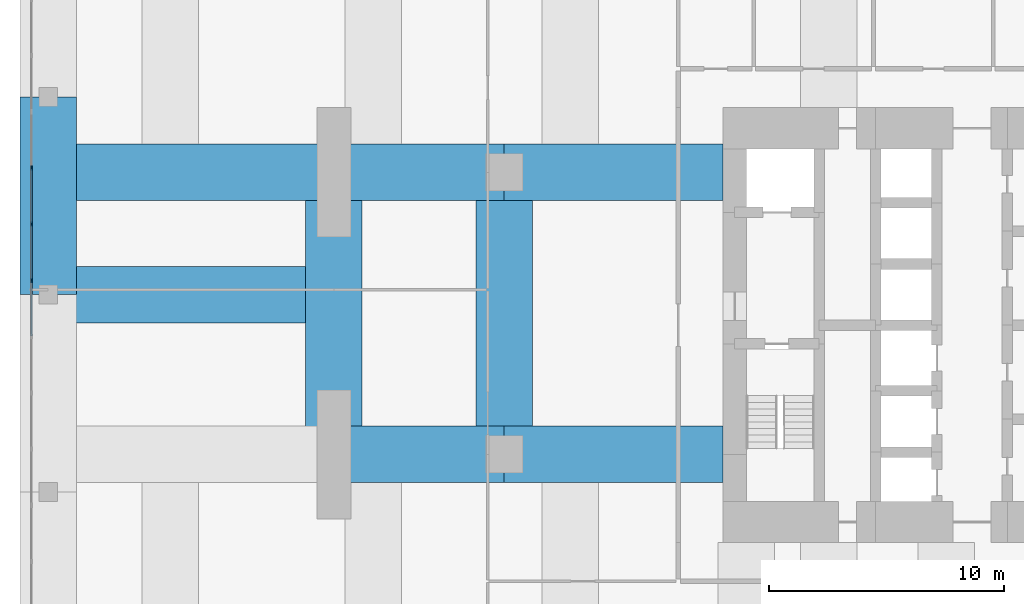
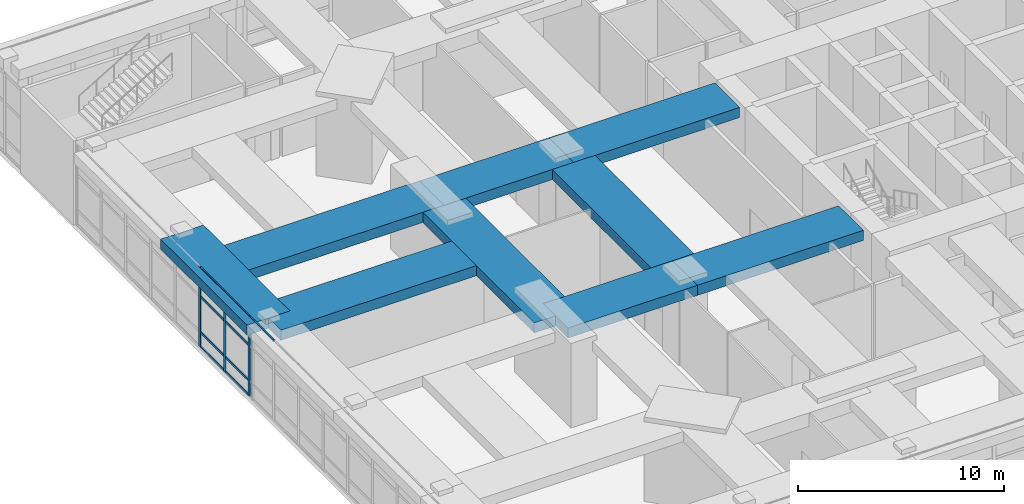
# One storey, part 4 of 22: 12 members, 9 beams, 1 element without a shape of its own.
"""IFC4 building model written with IfcOpenShell, lengths in metres."""

from ifc_helpers import new_model, si_unit, direction, frame, origin, origin_2d, place, context, subcontext, project, spatial, rectangle, extrude, material, material_profile, profile_set, type_object, element, aggregate, save


model = new_model("IFC4")

# Units and contexts
model_context = context("Model", 3, precision=1e-05, world=origin(), true_north=direction((0.0, 1.0)))
body_context = subcontext(model_context, "Body", "Model", "MODEL_VIEW")
ifc_project = project(units=[si_unit("LENGTHUNIT", "METRE"), si_unit("AREAUNIT", "SQUARE_METRE"), si_unit("VOLUMEUNIT", "CUBIC_METRE"), si_unit("PLANEANGLEUNIT", "RADIAN"), si_unit("MASSUNIT", "GRAM", prefix="KILO")], contexts=[model_context])

# Site, building, storey
site_placement = place(None, origin())
site = spatial("IfcSite", under=ifc_project, at=site_placement, CompositionType="ELEMENT")
building_placement = place(site_placement, origin())
building = spatial("IfcBuilding", under=site, at=building_placement, Name="Jalousie Tower", CompositionType="ELEMENT")
storey_placement = place(building_placement, frame((0.0, 0.0, 6.0)))
storey = spatial("IfcBuildingStorey", under=building, at=storey_placement, Name="L01", CompositionType="ELEMENT", Elevation=6.0)

# Curtain wall, members
ifc_material_1 = material(Name="Aluminium curtain wall", Category="aluminium")
curtain_wall_type = type_object("IfcCurtainWallType", Name="PODIUM WINDOW WALL", PredefinedType="USERDEFINED", material=ifc_material_1)
curtain_wall_placement = place(storey_placement, origin())
curtain_wall = element("IfcCurtainWall", 1, at=curtain_wall_placement, inside=storey, type_object=curtain_wall_type, Name="Podium Window Wall L01 33", ObjectType="PODIUM WINDOW WALL", PredefinedType="USERDEFINED")
ifc_material_2 = material(Name="Aluminium mullion", Category="aluminium")
ifc_material_profile_1 = material_profile(ifc_material_2, rectangle(XDim=0.070068359375, YDim=0.199951171875, at=origin_2d()), Name="MULLION 70x200")
ifc_profile_set_1 = profile_set([ifc_material_profile_1], Name="Aluminium mullion")
member_type_1 = type_object("IfcMemberType", Name="PODIUM WINDOW WALL MULLION", PredefinedType="MULLION", material=ifc_profile_set_1)
member_1_placement = place(storey_placement, frame((-9.91259765625, 25.188232421875, 0.0), z_axis=(0.0, 0.0, 1.0), x_axis=(1.0, 0.0, 0.0)))
member_1 = element("IfcMember", 2, at=member_1_placement, type_object=member_type_1, Name="CW-P mullion 6", PredefinedType="MULLION", context=body_context, shape_type="SweptSolid", body=[
    extrude(rectangle(XDim=0.070068359375, YDim=0.199951171875, at=origin_2d()), origin(), (0.0, 0.0, 1.0), 4.719970703125),
])
member_2_placement = place(storey_placement, frame((-9.91259765625, 22.7958984375, 0.0), z_axis=(0.0, 0.0, 1.0), x_axis=(1.0, 0.0, 0.0)))
member_2 = element("IfcMember", 3, at=member_2_placement, type_object=member_type_1, Name="CW-P mullion 7", PredefinedType="MULLION", context=body_context, shape_type="SweptSolid", body=[
    extrude(rectangle(XDim=0.070068359375, YDim=0.199951171875, at=origin_2d()), origin(), (0.0, 0.0, 1.0), 4.719970703125),
])
member_3_placement = place(storey_placement, frame((-9.91259765625, 20.403564453125, 0.0), z_axis=(0.0, 0.0, 1.0), x_axis=(1.0, 0.0, 0.0)))
member_3 = element("IfcMember", 4, at=member_3_placement, type_object=member_type_1, Name="CW-P mullion 8", PredefinedType="MULLION", context=body_context, shape_type="SweptSolid", body=[
    extrude(rectangle(XDim=0.070068359375, YDim=0.199951171875, at=origin_2d()), origin(), (0.0, 0.0, 1.0), 4.719970703125),
])
ifc_material_3 = material(Name="Aluminium transom", Category="aluminium")
ifc_material_profile_2 = material_profile(ifc_material_3, rectangle(XDim=0.070068359375, YDim=0.139892578125, at=origin_2d()), Name="TRANSOM 70x140")
ifc_profile_set_2 = profile_set([ifc_material_profile_2], Name="Aluminium transom")
member_type_2 = type_object("IfcMemberType", Name="PODIUM WINDOW WALL TRANSOM", PredefinedType="USERDEFINED", material=ifc_profile_set_2)
member_4_placement = place(storey_placement, frame((-9.91259765625, 25.153076171875, 0.034912109375), z_axis=(0.0, -1.0, 0.0), x_axis=(1.0, 0.0, 0.0)))
member_4 = element("IfcMember", 5, at=member_4_placement, type_object=member_type_2, Name="CW-P transom 6.1", ObjectType="TRANSOM", PredefinedType="USERDEFINED", context=body_context, shape_type="SweptSolid", body=[
    extrude(rectangle(XDim=0.070068359375, YDim=0.139892578125, at=origin_2d()), origin(), (0.0, 0.0, 1.0), 2.322265625),
])
member_5_placement = place(storey_placement, frame((-9.91259765625, 25.153076171875, 0.89990234375), z_axis=(0.0, -1.0, 0.0), x_axis=(1.0, 0.0, 0.0)))
member_5 = element("IfcMember", 6, at=member_5_placement, type_object=member_type_2, Name="CW-P transom 6.2", ObjectType="TRANSOM", PredefinedType="USERDEFINED", context=body_context, shape_type="SweptSolid", body=[
    extrude(rectangle(XDim=0.070068359375, YDim=0.139892578125, at=origin_2d()), origin(), (0.0, 0.0, 1.0), 2.322265625),
])
member_6_placement = place(storey_placement, frame((-9.91259765625, 25.153076171875, 3.0), z_axis=(0.0, -1.0, 0.0), x_axis=(1.0, 0.0, 0.0)))
member_6 = element("IfcMember", 7, at=member_6_placement, type_object=member_type_2, Name="CW-P transom 6.3", ObjectType="TRANSOM", PredefinedType="USERDEFINED", context=body_context, shape_type="SweptSolid", body=[
    extrude(rectangle(XDim=0.070068359375, YDim=0.139892578125, at=origin_2d()), origin(), (0.0, 0.0, 1.0), 2.322265625),
])
member_7_placement = place(storey_placement, frame((-9.91259765625, 25.153076171875, 4.68505859375), z_axis=(0.0, -1.0, 0.0), x_axis=(1.0, 0.0, 0.0)))
member_7 = element("IfcMember", 8, at=member_7_placement, type_object=member_type_2, Name="CW-P transom 6.4", ObjectType="TRANSOM", PredefinedType="USERDEFINED", context=body_context, shape_type="SweptSolid", body=[
    extrude(rectangle(XDim=0.070068359375, YDim=0.139892578125, at=origin_2d()), origin(), (0.0, 0.0, 1.0), 2.322265625),
])
member_8_placement = place(storey_placement, frame((-9.91259765625, 22.7607421875, 0.034912109375), z_axis=(0.0, -1.0, 0.0), x_axis=(1.0, 0.0, 0.0)))
member_8 = element("IfcMember", 9, at=member_8_placement, type_object=member_type_2, Name="CW-P transom 7.1", ObjectType="TRANSOM", PredefinedType="USERDEFINED", context=body_context, shape_type="SweptSolid", body=[
    extrude(rectangle(XDim=0.070068359375, YDim=0.139892578125, at=origin_2d()), origin(), (0.0, 0.0, 1.0), 2.322265625),
])
member_9_placement = place(storey_placement, frame((-9.91259765625, 22.7607421875, 0.89990234375), z_axis=(0.0, -1.0, 0.0), x_axis=(1.0, 0.0, 0.0)))
member_9 = element("IfcMember", 10, at=member_9_placement, type_object=member_type_2, Name="CW-P transom 7.2", ObjectType="TRANSOM", PredefinedType="USERDEFINED", context=body_context, shape_type="SweptSolid", body=[
    extrude(rectangle(XDim=0.070068359375, YDim=0.139892578125, at=origin_2d()), origin(), (0.0, 0.0, 1.0), 2.322265625),
])
member_10_placement = place(storey_placement, frame((-9.91259765625, 22.7607421875, 3.0), z_axis=(0.0, -1.0, 0.0), x_axis=(1.0, 0.0, 0.0)))
member_10 = element("IfcMember", 11, at=member_10_placement, type_object=member_type_2, Name="CW-P transom 7.3", ObjectType="TRANSOM", PredefinedType="USERDEFINED", context=body_context, shape_type="SweptSolid", body=[
    extrude(rectangle(XDim=0.070068359375, YDim=0.139892578125, at=origin_2d()), origin(), (0.0, 0.0, 1.0), 2.322265625),
])
member_11_placement = place(storey_placement, frame((-9.91259765625, 22.7607421875, 4.68505859375), z_axis=(0.0, -1.0, 0.0), x_axis=(1.0, 0.0, 0.0)))
member_11 = element("IfcMember", 12, at=member_11_placement, type_object=member_type_2, Name="CW-P transom 7.4", ObjectType="TRANSOM", PredefinedType="USERDEFINED", context=body_context, shape_type="SweptSolid", body=[
    extrude(rectangle(XDim=0.070068359375, YDim=0.139892578125, at=origin_2d()), origin(), (0.0, 0.0, 1.0), 2.322265625),
])
member_12_placement = place(storey_placement, frame((-9.91259765625, 20.368408203125, 4.68505859375), z_axis=(0.0, -1.0, 0.0), x_axis=(1.0, 0.0, 0.0)))
member_12 = element("IfcMember", 13, at=member_12_placement, type_object=member_type_2, Name="CW-P transom 8.4", ObjectType="TRANSOM", PredefinedType="USERDEFINED", context=body_context, shape_type="SweptSolid", body=[
    extrude(rectangle(XDim=0.070068359375, YDim=0.139892578125, at=origin_2d()), origin(), (0.0, 0.0, 1.0), 2.322265625),
])
aggregate(curtain_wall, [member_1, member_2, member_3, member_4, member_5, member_6, member_7, member_8, member_9, member_10, member_11, member_12])

# Beams
ifc_material_4 = material(Name="Concrete f'c 40 MPa", Category="concrete")
ifc_material_profile_3 = material_profile(ifc_material_4, rectangle(XDim=2.39990234375, YDim=0.60009765625, at=origin_2d()), Name="RC 2400x600")
ifc_profile_set_3 = profile_set([ifc_material_profile_3], Name="Concrete f'c 40 MPa")
beam_type = type_object("IfcBeamType", Name="RC BEAM 2400x600", PredefinedType="BEAM", material=ifc_profile_set_3)
beam_1_placement = place(storey_placement, frame((2.949951171875, 25.0, 4.419921875), z_axis=(0.0, -1.0, 0.0), x_axis=(1.0, 0.0, 0.0)))
element("IfcBeam", 14, at=beam_1_placement, inside=storey, type_object=beam_type, Name="Floor band beam under L02", PredefinedType="BEAM", context=body_context, shape_type="SweptSolid", body=[
    extrude(rectangle(XDim=2.39990234375, YDim=0.60009765625, at=origin_2d()), origin(), (0.0, 0.0, 1.0), 12.0),
])
beam_2_placement = place(storey_placement, frame((-9.199951171875, 19.800048828125, 4.419921875), z_axis=(0.0, 1.0, 0.0), x_axis=(-1.0, 0.0, 0.0)))
element("IfcBeam", 15, at=beam_2_placement, inside=storey, type_object=beam_type, Name="Floor band beam under L02", PredefinedType="BEAM", context=body_context, shape_type="SweptSolid", body=[
    extrude(rectangle(XDim=2.39990234375, YDim=0.60009765625, at=origin_2d()), origin(), (0.0, 0.0, 1.0), 8.39990234375),
])
for number, where, z_axis, x_axis, name in (
    (16, (2.949951171875, 13.0, 4.419921875), (1.0, 0.0, 0.0), (0.0, 1.0, 0.0), "Floor band beam under L02"),
    (17, (2.949951171875, 25.0, 4.419921875), (1.0, 0.0, 0.0), (0.0, 1.0, 0.0), "Floor band beam under L02"),
):
    element("IfcBeam", number, at=place(storey_placement, frame(where, z_axis=z_axis, x_axis=x_axis)), inside=storey, type_object=beam_type, Name=name, PredefinedType="BEAM", context=body_context, shape_type="SweptSolid", body=[
        extrude(rectangle(XDim=2.39990234375, YDim=0.60009765625, at=origin_2d()), origin(), (0.0, 0.0, 1.0), 7.25),
    ])
beam_3_placement = place(storey_placement, frame((10.199951171875, 13.0, 4.419921875), z_axis=(1.0, 0.0, 0.0), x_axis=(0.0, 1.0, 0.0)))
element("IfcBeam", 18, at=beam_3_placement, inside=storey, type_object=beam_type, Name="Floor band beam under L02", PredefinedType="BEAM", context=body_context, shape_type="SweptSolid", body=[
    extrude(rectangle(XDim=2.39990234375, YDim=0.60009765625, at=origin_2d()), origin(), (0.0, 0.0, 1.0), 9.300048828125),
])
beam_4_placement = place(storey_placement, frame((10.199951171875, 13.0, 4.419921875), z_axis=(0.0, 1.0, 0.0), x_axis=(-1.0, 0.0, 0.0)))
element("IfcBeam", 19, at=beam_4_placement, inside=storey, type_object=beam_type, Name="Floor band beam under L02", PredefinedType="BEAM", context=body_context, shape_type="SweptSolid", body=[
    extrude(rectangle(XDim=2.39990234375, YDim=0.60009765625, at=origin_2d()), origin(), (0.0, 0.0, 1.0), 12.0),
])
beam_5_placement = place(storey_placement, frame((10.199951171875, 25.0, 4.419921875), z_axis=(1.0, 0.0, 0.0), x_axis=(0.0, 1.0, 0.0)))
element("IfcBeam", 20, at=beam_5_placement, inside=storey, type_object=beam_type, Name="Floor band beam under L02", PredefinedType="BEAM", context=body_context, shape_type="SweptSolid", body=[
    extrude(rectangle(XDim=2.39990234375, YDim=0.60009765625, at=origin_2d()), origin(), (0.0, 0.0, 1.0), 9.300048828125),
])
for number, where, z_axis, x_axis, name in (
    (21, (-9.199951171875, 19.800048828125, 4.419921875), (1.0, 0.0, 0.0), (0.0, 1.0, 0.0), "Floor band beam under L02"),
    (22, (2.949951171875, 25.0, 4.419921875), (-1.0, 0.0, 0.0), (0.0, -1.0, 0.0), "Floor band beam under L02"),
):
    element("IfcBeam", number, at=place(storey_placement, frame(where, z_axis=z_axis, x_axis=x_axis)), inside=storey, type_object=beam_type, Name=name, PredefinedType="BEAM", context=body_context, shape_type="SweptSolid", body=[
        extrude(rectangle(XDim=2.39990234375, YDim=0.60009765625, at=origin_2d()), origin(), (0.0, 0.0, 1.0), 10.949951171875),
    ])

save(model, "model.ifc")
